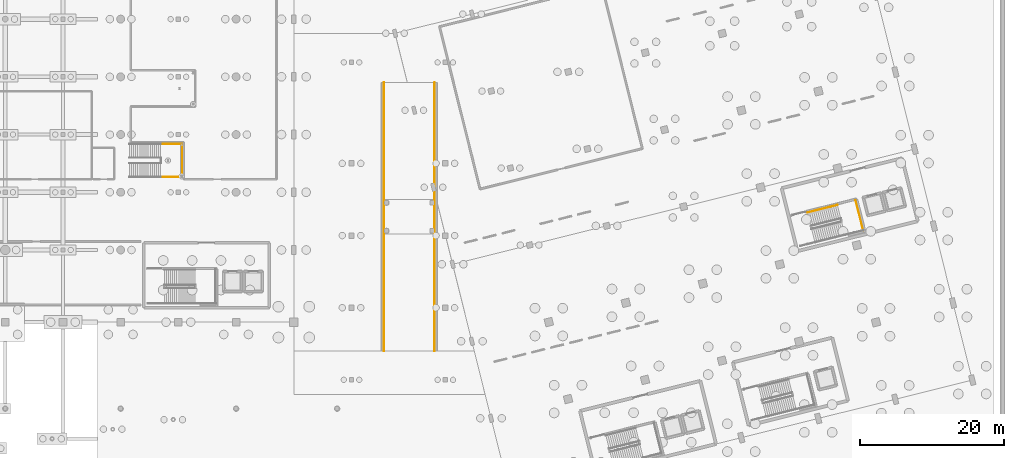
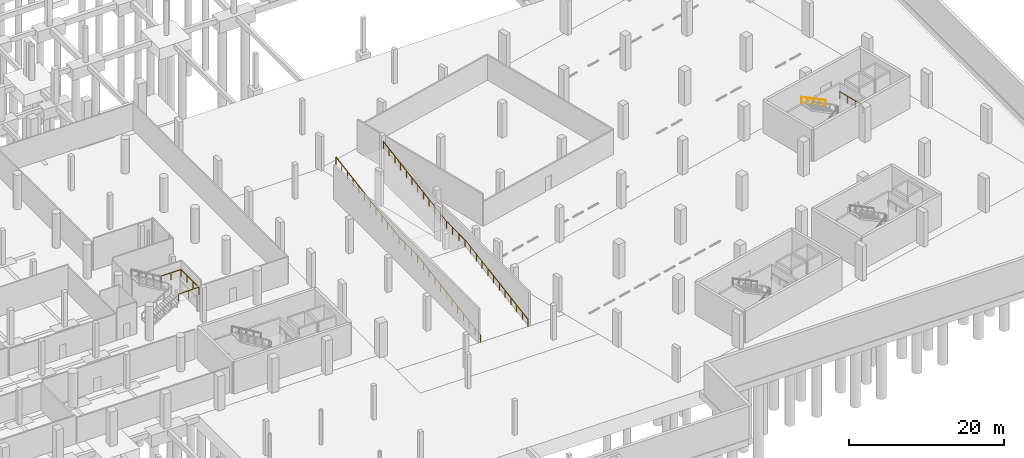
# One storey, part 64 of 65: 5 railings, 1 element without a shape of its own.
"""IFC4 building model written with IfcOpenShell, lengths in metres."""

from ifc_helpers import new_model, si_unit, direction, frame, origin, origin_2d, place, context, subcontext, project, spatial, rectangle, extrude, material, type_object, element, aggregate, save


model = new_model("IFC4")

# Units and contexts
model_context = context("Model", 3, precision=1e-05, world=origin(), true_north=direction((0.0, 1.0)))
body_context = subcontext(model_context, "Body", "Model", "MODEL_VIEW")
ifc_project = project(units=[si_unit("LENGTHUNIT", "METRE"), si_unit("AREAUNIT", "SQUARE_METRE"), si_unit("VOLUMEUNIT", "CUBIC_METRE"), si_unit("PLANEANGLEUNIT", "RADIAN"), si_unit("MASSUNIT", "GRAM", prefix="KILO")], contexts=[model_context])

# Site, building, storey
site_placement = place(None, origin())
site = spatial("IfcSite", under=ifc_project, at=site_placement, CompositionType="ELEMENT")
building_placement = place(site_placement, origin())
building = spatial("IfcBuilding", under=site, at=building_placement, Name="Khorjan Park Terminus", CompositionType="ELEMENT")
storey_placement = place(building_placement, frame((0.0, 0.0, -5.4)))
storey = spatial("IfcBuildingStorey", under=building, at=storey_placement, Name="B1", CompositionType="ELEMENT", Elevation=-5.4)

# Railing
ifc_material_1 = material(Name="Steel S355", Category="steel")
railing_type_1 = type_object("IfcRailingType", Name="GR-112", PredefinedType="GUARDRAIL", material=ifc_material_1)
railing_1_placement = place(storey_placement, frame((214.9305, 38.6768, 2.7)))
element("IfcRailing", 1, at=railing_1_placement, inside=storey, type_object=railing_type_1, Name="B1 ST-04 stair guard 4", PredefinedType="GUARDRAIL", context=body_context, shape_type="SweptSolid", body=[
    extrude(rectangle(XDim=0.048, YDim=0.048, at=origin_2d()), frame((0.0, 0.0, 1.096), z_axis=(-0.241904163851, 0.970300147125, 0.0), x_axis=(-0.970300147125, -0.241904163851, 0.0)), (0.0, 0.0, 1.0), 4.36),
    extrude(rectangle(XDim=0.042, YDim=0.042, at=origin_2d()), origin(), (0.0, 0.0, 1.0), 1.072),
    extrude(rectangle(XDim=0.042, YDim=0.042, at=origin_2d()), frame((-0.3516, 1.4102, 0.0)), (0.0, 0.0, 1.0), 1.072),
    extrude(rectangle(XDim=0.042, YDim=0.042, at=origin_2d()), frame((-0.7031, 2.8203, 0.0)), (0.0, 0.0, 1.0), 1.072),
    extrude(rectangle(XDim=0.042, YDim=0.042, at=origin_2d()), frame((-1.0547, 4.2305, 0.0)), (0.0, 0.0, 1.0), 1.072),
])

# Stair, railing
ifc_material_2 = material(Name="Concrete C40/50", Category="concrete")
stair_type = type_object("IfcStairType", Name="STR-PUB-200", PredefinedType="HALF_TURN_STAIR", material=ifc_material_2)
stair_placement = place(storey_placement, origin())
stair = element("IfcStair", 2, at=stair_placement, inside=storey, type_object=stair_type, Name="Public passenger half-turn stair CS-02", PredefinedType="HALF_TURN_STAIR")
railing_2_placement = place(storey_placement, frame((117.55, 46.1, 2.7)))
railing_2 = element("IfcRailing", 3, at=railing_2_placement, type_object=railing_type_1, Name="Stair CS-02 horizontal half-landing guard GR-112", PredefinedType="GUARDRAIL", context=body_context, shape_type="SweptSolid", body=[
    extrude(rectangle(XDim=0.048, YDim=0.048, at=origin_2d()), frame((0.0, 0.0, 1.096), z_axis=(1.0, 0.0, 0.0), x_axis=(0.0, 1.0, 0.0)), (0.0, 0.0, 1.0), 2.99),
    extrude(rectangle(XDim=0.048, YDim=0.048, at=origin_2d()), frame((2.99, 0.0, 1.096), z_axis=(0.0, 1.0, 0.0), x_axis=(-1.0, 0.0, 0.0)), (0.0, 0.0, 1.0), 4.6),
    extrude(rectangle(XDim=0.048, YDim=0.048, at=origin_2d()), frame((2.99, 4.6, 1.096), z_axis=(-1.0, 0.0, 0.0), x_axis=(0.0, -1.0, 0.0)), (0.0, 0.0, 1.0), 2.99),
    extrude(rectangle(XDim=0.042, YDim=0.042, at=origin_2d()), origin(), (0.0, 0.0, 1.0), 1.072),
    extrude(rectangle(XDim=0.042, YDim=0.042, at=origin_2d()), frame((1.495, 0.0, 0.0)), (0.0, 0.0, 1.0), 1.072),
    extrude(rectangle(XDim=0.042, YDim=0.042, at=origin_2d()), frame((2.99, 0.0, 0.0)), (0.0, 0.0, 1.0), 1.072),
    extrude(rectangle(XDim=0.042, YDim=0.042, at=origin_2d()), frame((2.99, 1.5333, 0.0)), (0.0, 0.0, 1.0), 1.072),
    extrude(rectangle(XDim=0.042, YDim=0.042, at=origin_2d()), frame((2.99, 3.0667, 0.0)), (0.0, 0.0, 1.0), 1.072),
    extrude(rectangle(XDim=0.042, YDim=0.042, at=origin_2d()), frame((2.99, 4.6, 0.0)), (0.0, 0.0, 1.0), 1.072),
    extrude(rectangle(XDim=0.042, YDim=0.042, at=origin_2d()), frame((1.495, 4.6, 0.0)), (0.0, 0.0, 1.0), 1.072),
    extrude(rectangle(XDim=0.042, YDim=0.042, at=origin_2d()), frame((0.0, 4.6, 0.0)), (0.0, 0.0, 1.0), 1.072),
])
aggregate(stair, [railing_2])

# Railings
railing_3_placement = place(storey_placement, frame((148.48, 22.0, 0.0)))
element("IfcRailing", 4, at=railing_3_placement, inside=storey, type_object=railing_type_1, Name="Vehicle ramp safety edge guard GR-112 (W)", PredefinedType="GUARDRAIL", context=body_context, shape_type="SweptSolid", body=[
    extrude(rectangle(XDim=0.048, YDim=0.048, at=origin_2d()), frame((0.0, 0.0, 1.096), z_axis=(0.0, 0.986393923832, 0.164398987305), x_axis=(-1.0, 0.0, 0.0)), (0.0, 0.0, 1.0), 16.4235),
    extrude(rectangle(XDim=0.048, YDim=0.048, at=origin_2d()), frame((0.0, 16.2, 3.796), z_axis=(0.0, 1.0, 0.0), x_axis=(-1.0, 0.0, 0.0)), (0.0, 0.0, 1.0), 4.8),
    extrude(rectangle(XDim=0.048, YDim=0.048, at=origin_2d()), frame((0.0, 21.0, 3.796), z_axis=(0.0, 0.986393923832, 0.164398987305), x_axis=(-1.0, 0.0, 0.0)), (0.0, 0.0, 1.0), 16.4235),
    extrude(rectangle(XDim=0.042, YDim=0.042, at=origin_2d()), origin(), (0.0, 0.0, 1.0), 1.072),
    extrude(rectangle(XDim=0.042, YDim=0.042, at=origin_2d()), frame((0.0, 1.4727, 0.2455)), (0.0, 0.0, 1.0), 1.072),
    extrude(rectangle(XDim=0.042, YDim=0.042, at=origin_2d()), frame((0.0, 2.9455, 0.4909)), (0.0, 0.0, 1.0), 1.072),
    extrude(rectangle(XDim=0.042, YDim=0.042, at=origin_2d()), frame((0.0, 4.4182, 0.7364)), (0.0, 0.0, 1.0), 1.072),
    extrude(rectangle(XDim=0.042, YDim=0.042, at=origin_2d()), frame((0.0, 5.8909, 0.9818)), (0.0, 0.0, 1.0), 1.072),
    extrude(rectangle(XDim=0.042, YDim=0.042, at=origin_2d()), frame((0.0, 7.3636, 1.2273)), (0.0, 0.0, 1.0), 1.072),
    extrude(rectangle(XDim=0.042, YDim=0.042, at=origin_2d()), frame((0.0, 8.8364, 1.4727)), (0.0, 0.0, 1.0), 1.072),
    extrude(rectangle(XDim=0.042, YDim=0.042, at=origin_2d()), frame((0.0, 10.3091, 1.7182)), (0.0, 0.0, 1.0), 1.072),
    extrude(rectangle(XDim=0.042, YDim=0.042, at=origin_2d()), frame((0.0, 11.7818, 1.9636)), (0.0, 0.0, 1.0), 1.072),
    extrude(rectangle(XDim=0.042, YDim=0.042, at=origin_2d()), frame((0.0, 13.2545, 2.2091)), (0.0, 0.0, 1.0), 1.072),
    extrude(rectangle(XDim=0.042, YDim=0.042, at=origin_2d()), frame((0.0, 14.7273, 2.4545)), (0.0, 0.0, 1.0), 1.072),
    extrude(rectangle(XDim=0.042, YDim=0.042, at=origin_2d()), frame((0.0, 16.2, 2.7)), (0.0, 0.0, 1.0), 1.072),
    extrude(rectangle(XDim=0.042, YDim=0.042, at=origin_2d()), frame((0.0, 17.8, 2.7)), (0.0, 0.0, 1.0), 1.072),
    extrude(rectangle(XDim=0.042, YDim=0.042, at=origin_2d()), frame((0.0, 19.4, 2.7)), (0.0, 0.0, 1.0), 1.072),
    extrude(rectangle(XDim=0.042, YDim=0.042, at=origin_2d()), frame((0.0, 21.0, 2.7)), (0.0, 0.0, 1.0), 1.072),
    extrude(rectangle(XDim=0.042, YDim=0.042, at=origin_2d()), frame((0.0, 22.4727, 2.9455)), (0.0, 0.0, 1.0), 1.072),
    extrude(rectangle(XDim=0.042, YDim=0.042, at=origin_2d()), frame((0.0, 23.9455, 3.1909)), (0.0, 0.0, 1.0), 1.072),
    extrude(rectangle(XDim=0.042, YDim=0.042, at=origin_2d()), frame((0.0, 25.4182, 3.4364)), (0.0, 0.0, 1.0), 1.072),
    extrude(rectangle(XDim=0.042, YDim=0.042, at=origin_2d()), frame((0.0, 26.8909, 3.6818)), (0.0, 0.0, 1.0), 1.072),
    extrude(rectangle(XDim=0.042, YDim=0.042, at=origin_2d()), frame((0.0, 28.3636, 3.9273)), (0.0, 0.0, 1.0), 1.072),
    extrude(rectangle(XDim=0.042, YDim=0.042, at=origin_2d()), frame((0.0, 29.8364, 4.1727)), (0.0, 0.0, 1.0), 1.072),
    extrude(rectangle(XDim=0.042, YDim=0.042, at=origin_2d()), frame((0.0, 31.3091, 4.4182)), (0.0, 0.0, 1.0), 1.072),
    extrude(rectangle(XDim=0.042, YDim=0.042, at=origin_2d()), frame((0.0, 32.7818, 4.6636)), (0.0, 0.0, 1.0), 1.072),
    extrude(rectangle(XDim=0.042, YDim=0.042, at=origin_2d()), frame((0.0, 34.2545, 4.9091)), (0.0, 0.0, 1.0), 1.072),
    extrude(rectangle(XDim=0.042, YDim=0.042, at=origin_2d()), frame((0.0, 35.7273, 5.1545)), (0.0, 0.0, 1.0), 1.072),
    extrude(rectangle(XDim=0.042, YDim=0.042, at=origin_2d()), frame((0.0, 37.2, 5.4)), (0.0, 0.0, 1.0), 1.072),
])
railing_4_placement = place(storey_placement, frame((155.52, 22.0, 0.0)))
element("IfcRailing", 5, at=railing_4_placement, inside=storey, type_object=railing_type_1, Name="Vehicle ramp safety edge guard GR-112 (E)", PredefinedType="GUARDRAIL", context=body_context, shape_type="SweptSolid", body=[
    extrude(rectangle(XDim=0.048, YDim=0.048, at=origin_2d()), frame((0.0, 0.0, 1.096), z_axis=(0.0, 0.986393923832, 0.164398987305), x_axis=(-1.0, 0.0, 0.0)), (0.0, 0.0, 1.0), 16.4235),
    extrude(rectangle(XDim=0.048, YDim=0.048, at=origin_2d()), frame((0.0, 16.2, 3.796), z_axis=(0.0, 1.0, 0.0), x_axis=(-1.0, 0.0, 0.0)), (0.0, 0.0, 1.0), 4.8),
    extrude(rectangle(XDim=0.048, YDim=0.048, at=origin_2d()), frame((0.0, 21.0, 3.796), z_axis=(0.0, 0.986393923832, 0.164398987305), x_axis=(-1.0, 0.0, 0.0)), (0.0, 0.0, 1.0), 16.4235),
    extrude(rectangle(XDim=0.042, YDim=0.042, at=origin_2d()), origin(), (0.0, 0.0, 1.0), 1.072),
    extrude(rectangle(XDim=0.042, YDim=0.042, at=origin_2d()), frame((0.0, 1.4727, 0.2455)), (0.0, 0.0, 1.0), 1.072),
    extrude(rectangle(XDim=0.042, YDim=0.042, at=origin_2d()), frame((0.0, 2.9455, 0.4909)), (0.0, 0.0, 1.0), 1.072),
    extrude(rectangle(XDim=0.042, YDim=0.042, at=origin_2d()), frame((0.0, 4.4182, 0.7364)), (0.0, 0.0, 1.0), 1.072),
    extrude(rectangle(XDim=0.042, YDim=0.042, at=origin_2d()), frame((0.0, 5.8909, 0.9818)), (0.0, 0.0, 1.0), 1.072),
    extrude(rectangle(XDim=0.042, YDim=0.042, at=origin_2d()), frame((0.0, 7.3636, 1.2273)), (0.0, 0.0, 1.0), 1.072),
    extrude(rectangle(XDim=0.042, YDim=0.042, at=origin_2d()), frame((0.0, 8.8364, 1.4727)), (0.0, 0.0, 1.0), 1.072),
    extrude(rectangle(XDim=0.042, YDim=0.042, at=origin_2d()), frame((0.0, 10.3091, 1.7182)), (0.0, 0.0, 1.0), 1.072),
    extrude(rectangle(XDim=0.042, YDim=0.042, at=origin_2d()), frame((0.0, 11.7818, 1.9636)), (0.0, 0.0, 1.0), 1.072),
    extrude(rectangle(XDim=0.042, YDim=0.042, at=origin_2d()), frame((0.0, 13.2545, 2.2091)), (0.0, 0.0, 1.0), 1.072),
    extrude(rectangle(XDim=0.042, YDim=0.042, at=origin_2d()), frame((0.0, 14.7273, 2.4545)), (0.0, 0.0, 1.0), 1.072),
    extrude(rectangle(XDim=0.042, YDim=0.042, at=origin_2d()), frame((0.0, 16.2, 2.7)), (0.0, 0.0, 1.0), 1.072),
    extrude(rectangle(XDim=0.042, YDim=0.042, at=origin_2d()), frame((0.0, 17.8, 2.7)), (0.0, 0.0, 1.0), 1.072),
    extrude(rectangle(XDim=0.042, YDim=0.042, at=origin_2d()), frame((0.0, 19.4, 2.7)), (0.0, 0.0, 1.0), 1.072),
    extrude(rectangle(XDim=0.042, YDim=0.042, at=origin_2d()), frame((0.0, 21.0, 2.7)), (0.0, 0.0, 1.0), 1.072),
    extrude(rectangle(XDim=0.042, YDim=0.042, at=origin_2d()), frame((0.0, 22.4727, 2.9455)), (0.0, 0.0, 1.0), 1.072),
    extrude(rectangle(XDim=0.042, YDim=0.042, at=origin_2d()), frame((0.0, 23.9455, 3.1909)), (0.0, 0.0, 1.0), 1.072),
    extrude(rectangle(XDim=0.042, YDim=0.042, at=origin_2d()), frame((0.0, 25.4182, 3.4364)), (0.0, 0.0, 1.0), 1.072),
    extrude(rectangle(XDim=0.042, YDim=0.042, at=origin_2d()), frame((0.0, 26.8909, 3.6818)), (0.0, 0.0, 1.0), 1.072),
    extrude(rectangle(XDim=0.042, YDim=0.042, at=origin_2d()), frame((0.0, 28.3636, 3.9273)), (0.0, 0.0, 1.0), 1.072),
    extrude(rectangle(XDim=0.042, YDim=0.042, at=origin_2d()), frame((0.0, 29.8364, 4.1727)), (0.0, 0.0, 1.0), 1.072),
    extrude(rectangle(XDim=0.042, YDim=0.042, at=origin_2d()), frame((0.0, 31.3091, 4.4182)), (0.0, 0.0, 1.0), 1.072),
    extrude(rectangle(XDim=0.042, YDim=0.042, at=origin_2d()), frame((0.0, 32.7818, 4.6636)), (0.0, 0.0, 1.0), 1.072),
    extrude(rectangle(XDim=0.042, YDim=0.042, at=origin_2d()), frame((0.0, 34.2545, 4.9091)), (0.0, 0.0, 1.0), 1.072),
    extrude(rectangle(XDim=0.042, YDim=0.042, at=origin_2d()), frame((0.0, 35.7273, 5.1545)), (0.0, 0.0, 1.0), 1.072),
    extrude(rectangle(XDim=0.042, YDim=0.042, at=origin_2d()), frame((0.0, 37.2, 5.4)), (0.0, 0.0, 1.0), 1.072),
])
railing_type_2 = type_object("IfcRailingType", Name="HR-92", PredefinedType="HANDRAIL", material=ifc_material_1)
railing_5_placement = place(storey_placement, frame((211.3505, 42.2261, 2.8688)))
element("IfcRailing", 6, at=railing_5_placement, inside=storey, type_object=railing_type_2, Name="B1 ST-04 stair handrail 2", PredefinedType="HANDRAIL", context=body_context, shape_type="SweptSolid", body=[
    extrude(rectangle(XDim=0.048, YDim=0.048, at=origin_2d()), frame((0.0, 0.0, 0.896), z_axis=(-0.834919569378, -0.208166301507, 0.509486117167), x_axis=(0.241919130453, -0.9702964157, 0.0)), (0.0, 0.0, 1.0), 4.9681),
    extrude(rectangle(XDim=0.042, YDim=0.042, at=origin_2d()), origin(), (0.0, 0.0, 1.0), 0.872),
    extrude(rectangle(XDim=0.042, YDim=0.042, at=origin_2d()), frame((-1.037, -0.2586, 0.6328)), (0.0, 0.0, 1.0), 0.872),
    extrude(rectangle(XDim=0.042, YDim=0.042, at=origin_2d()), frame((-2.074, -0.5171, 1.2656)), (0.0, 0.0, 1.0), 0.872),
    extrude(rectangle(XDim=0.042, YDim=0.042, at=origin_2d()), frame((-3.111, -0.7757, 1.8984)), (0.0, 0.0, 1.0), 0.872),
    extrude(rectangle(XDim=0.042, YDim=0.042, at=origin_2d()), frame((-4.148, -1.0342, 2.5312)), (0.0, 0.0, 1.0), 0.872),
])

save(model, "model.ifc")
